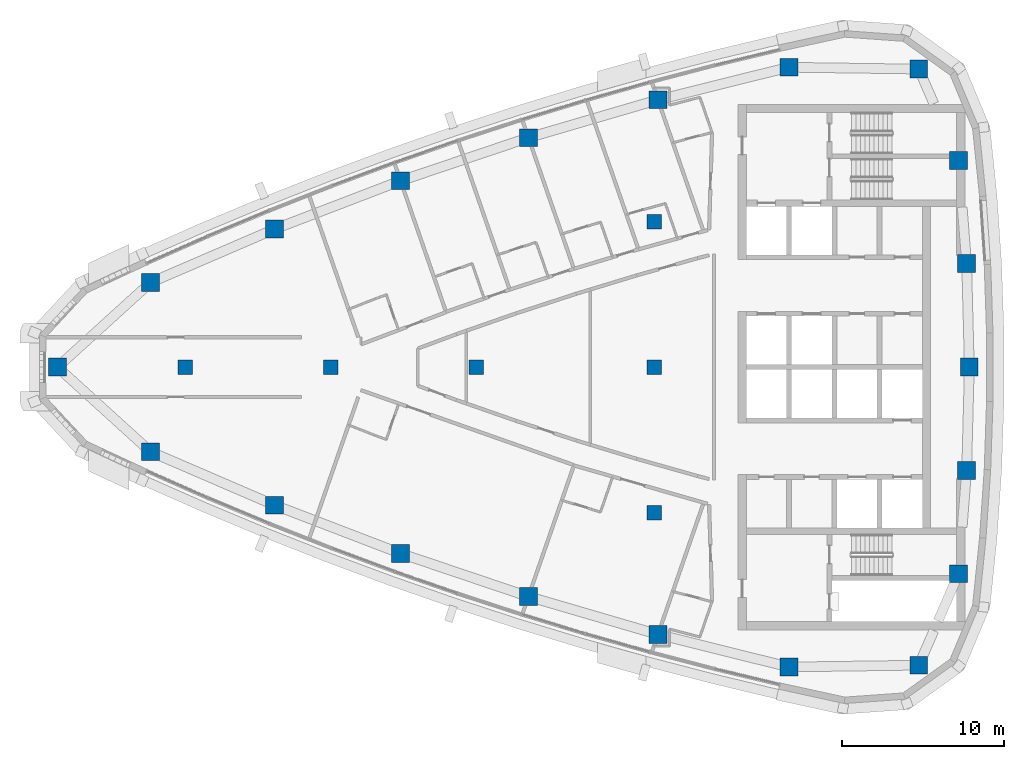
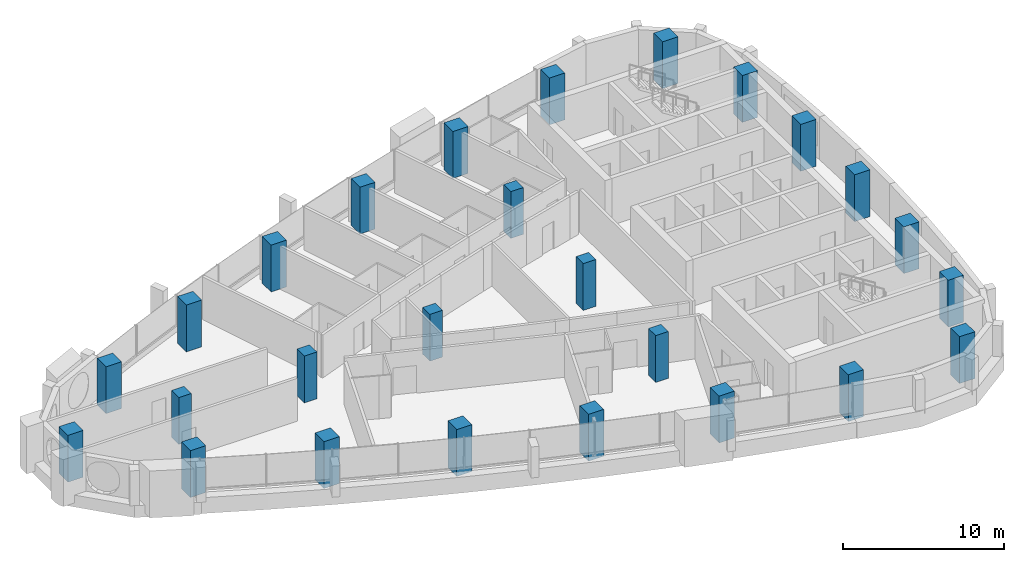
# One storey, part 1 of 14: 26 columns.
"""IFC4 building model written with IfcOpenShell, lengths in metres."""

from ifc_helpers import new_model, si_unit, direction, frame, origin, origin_2d, place, context, subcontext, project, spatial, rectangle, extrude, material, material_profile, profile_set, type_object, element, save


model = new_model("IFC4")

# Units and contexts
model_context = context("Model", 3, precision=1e-05, world=origin(), true_north=direction((0.0, 1.0)))
body_context = subcontext(model_context, "Body", "Model", "MODEL_VIEW")
ifc_project = project(units=[si_unit("LENGTHUNIT", "METRE"), si_unit("AREAUNIT", "SQUARE_METRE"), si_unit("VOLUMEUNIT", "CUBIC_METRE"), si_unit("PLANEANGLEUNIT", "RADIAN"), si_unit("MASSUNIT", "GRAM", prefix="KILO")], contexts=[model_context])

# Site, building, storey
site_placement = place(None, origin())
site = spatial("IfcSite", under=ifc_project, at=site_placement, CompositionType="ELEMENT")
building_placement = place(site_placement, origin())
building = spatial("IfcBuilding", under=site, at=building_placement, Name="Ostrand Prow Hotel Tower", CompositionType="ELEMENT")
storey_placement = place(building_placement, frame((0.0, 0.0, 285.64990234375)))
storey = spatial("IfcBuildingStorey", under=building, at=storey_placement, Name="L72", CompositionType="ELEMENT", Elevation=285.64990234375)

# Columns
ifc_material_1 = material(Name="Concrete C50/60", Category="concrete")
ifc_material_profile_1 = material_profile(ifc_material_1, rectangle(XDim=0.89990234375, YDim=0.89990234375, at=origin_2d()), Name="RC 900x900")
ifc_profile_set_1 = profile_set([ifc_material_profile_1], Name="Concrete C50/60")
column_type_1 = type_object("IfcColumnType", Name="Interior column 900x900 C50/60", PredefinedType="COLUMN", material=ifc_profile_set_1)
for number, where, z_axis, x_axis, name in (
    (1, (16.0, 0.0, 0.0), (0.0, 0.0, 1.0), (1.0, 0.0, 0.0), "Interior column 16C0"),
    (2, (25.0, 0.0, 0.0), (0.0, 0.0, 1.0), (1.0, 0.0, 0.0), "Interior column 25C0"),
    (3, (34.0, 0.0, 0.0), (0.0, 0.0, 1.0), (1.0, 0.0, 0.0), "Interior column 34C0"),
    (4, (45.0, -9.0, 0.0), (0.0, 0.0, 1.0), (1.0, 0.0, 0.0), "Interior column 45S9"),
    (5, (45.0, 0.0, 0.0), (0.0, 0.0, 1.0), (1.0, 0.0, 0.0), "Interior column 45C0"),
    (6, (45.0, 9.0, 0.0), (0.0, 0.0, 1.0), (1.0, 0.0, 0.0), "Interior column 45N9"),
):
    element("IfcColumn", number, at=place(storey_placement, frame(where, z_axis=z_axis, x_axis=x_axis)), inside=storey, type_object=column_type_1, Name=name, PredefinedType="COLUMN", context=body_context, shape_type="SweptSolid", body=[
        extrude(rectangle(XDim=0.89990234375, YDim=0.89990234375, at=origin_2d()), origin(), (0.0, 0.0, 1.0), 3.550048828125),
    ])
ifc_material_2 = material(Name="Concrete C50/60", Category="concrete")
ifc_material_profile_2 = material_profile(ifc_material_2, rectangle(XDim=1.10009765625, YDim=1.10009765625, at=origin_2d()), Name="RC 1100x1100")
ifc_profile_set_2 = profile_set([ifc_material_profile_2], Name="Concrete C50/60")
column_type_2 = type_object("IfcColumnType", Name="Stone-faced mega column 1100x1100 C50/60", PredefinedType="COLUMN", material=ifc_profile_set_2)
for number, where, z_axis, x_axis, name in (
    (7, (8.082763671875, 0.0, 0.0), (0.0, 0.0, 1.0), (1.0, 0.0, 0.0), "Mega column P"),
    (8, (13.846435546875, -5.23681640625, 0.0), (0.0, 0.0, 1.0), (1.0, 0.0, 0.0), "Mega column S1"),
    (9, (21.51416015625, -8.5400390625, 0.0), (0.0, 0.0, 1.0), (1.0, 0.0, 0.0), "Mega column S2"),
    (10, (29.31005859375, -11.528076171875, 0.0), (0.0, 0.0, 1.0), (1.0, 0.0, 0.0), "Mega column S3"),
    (11, (37.22119140625, -14.19580078125, 0.0), (0.0, 0.0, 1.0), (1.0, 0.0, 0.0), "Mega column S4"),
    (12, (45.234619140625, -16.53857421875, 0.0), (0.0, 0.0, 1.0), (1.0, 0.0, 0.0), "Mega column S5"),
    (13, (53.3369140625, -18.552978515625, 0.0), (0.0, 0.0, 1.0), (1.0, 0.0, 0.0), "Mega column S6"),
    (14, (61.374267578125, -18.439697265625, 0.0), (0.0, 0.0, 1.0), (1.0, 0.0, 0.0), "Mega column SE"),
    (15, (63.831787109375, -12.7890625, 0.0), (0.0, 0.0, 1.0), (1.0, 0.0, 0.0), "Mega column B1"),
    (16, (64.332763671875, -6.4033203125, 0.0), (0.0, 0.0, 1.0), (1.0, 0.0, 0.0), "Mega column B2"),
    (17, (64.5, 0.0, 0.0), (0.0, 0.0, 1.0), (1.0, 0.0, 0.0), "Mega column B3"),
    (18, (64.332763671875, 6.4033203125, 0.0), (0.0, 0.0, 1.0), (1.0, 0.0, 0.0), "Mega column B4"),
    (19, (63.831787109375, 12.7890625, 0.0), (0.0, 0.0, 1.0), (1.0, 0.0, 0.0), "Mega column B5"),
    (20, (61.374267578125, 18.439697265625, 0.0), (0.0, 0.0, 1.0), (1.0, 0.0, 0.0), "Mega column NE"),
    (21, (53.3369140625, 18.552978515625, 0.0), (0.0, 0.0, 1.0), (1.0, 0.0, 0.0), "Mega column N1"),
    (22, (45.234619140625, 16.53857421875, 0.0), (0.0, 0.0, 1.0), (1.0, 0.0, 0.0), "Mega column N2"),
    (23, (37.22119140625, 14.19580078125, 0.0), (0.0, 0.0, 1.0), (1.0, 0.0, 0.0), "Mega column N3"),
    (24, (29.31005859375, 11.528076171875, 0.0), (0.0, 0.0, 1.0), (1.0, 0.0, 0.0), "Mega column N4"),
    (25, (21.51416015625, 8.5400390625, 0.0), (0.0, 0.0, 1.0), (1.0, 0.0, 0.0), "Mega column N5"),
    (26, (13.846435546875, 5.23681640625, 0.0), (0.0, 0.0, 1.0), (1.0, 0.0, 0.0), "Mega column N6"),
):
    element("IfcColumn", number, at=place(storey_placement, frame(where, z_axis=z_axis, x_axis=x_axis)), inside=storey, type_object=column_type_2, Name=name, PredefinedType="COLUMN", context=body_context, shape_type="SweptSolid", body=[
        extrude(rectangle(XDim=1.10009765625, YDim=1.10009765625, at=origin_2d()), origin(), (0.0, 0.0, 1.0), 3.550048828125),
    ])

save(model, "model.ifc")
